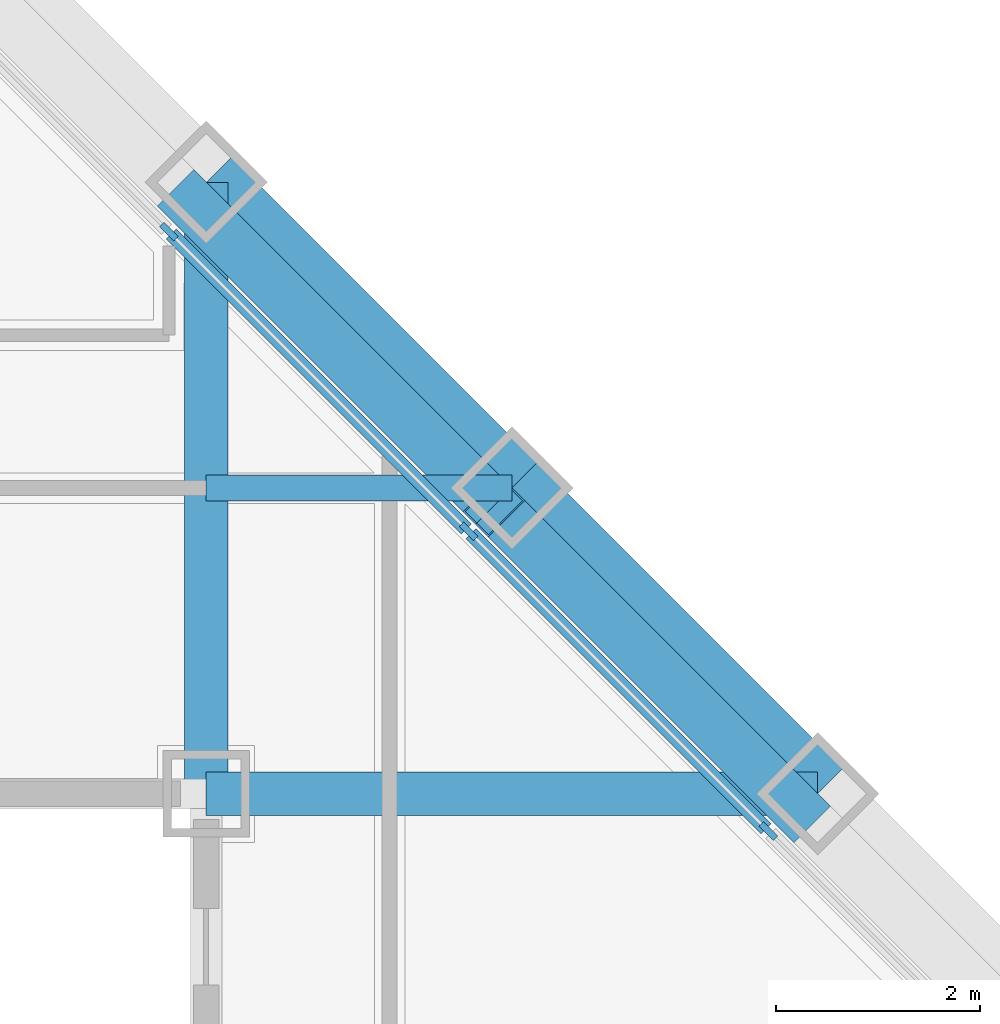
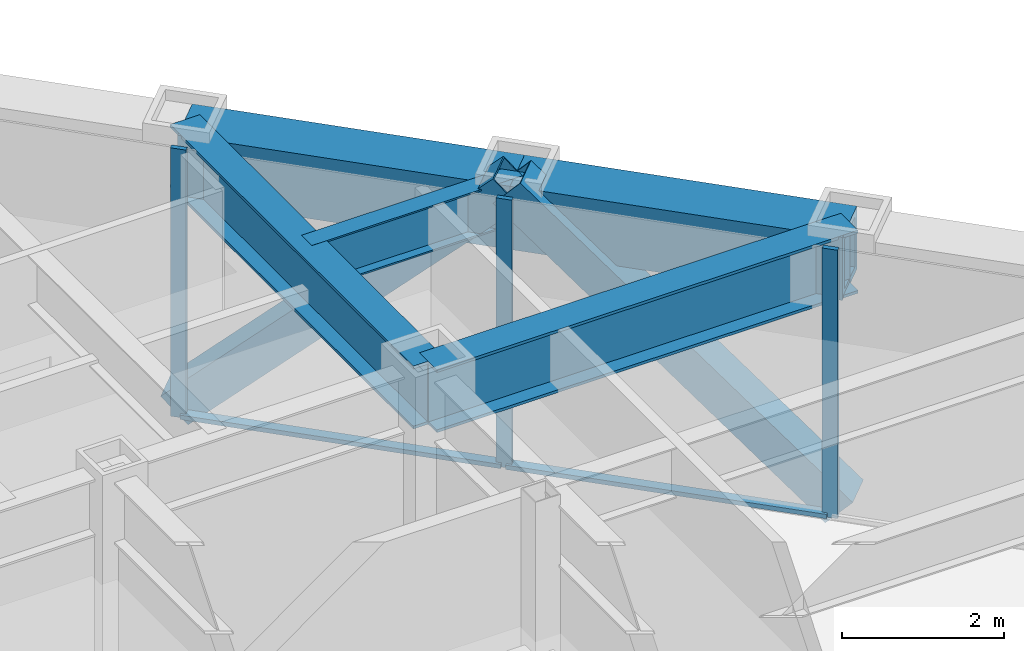
# One storey, part 8 of 17: 7 members, 5 beams, 1 element without a shape of its own.
"""IFC4 building model written with IfcOpenShell, lengths in metres."""

from ifc_helpers import new_model, si_unit, direction, frame, origin, origin_2d, place, context, subcontext, project, spatial, rectangle, hollow_rectangle, i_section, extrude, material, layer, layer_set, material_profile, profile_set, type_object, element, aggregate, save


model = new_model("IFC4")

# Units and contexts
model_context = context("Model", 3, precision=1e-05, world=origin(), true_north=direction((0.0, 1.0)))
body_context = subcontext(model_context, "Body", "Model", "MODEL_VIEW")
ifc_project = project(units=[si_unit("LENGTHUNIT", "METRE"), si_unit("AREAUNIT", "SQUARE_METRE"), si_unit("VOLUMEUNIT", "CUBIC_METRE"), si_unit("PLANEANGLEUNIT", "RADIAN"), si_unit("MASSUNIT", "GRAM", prefix="KILO")], contexts=[model_context])

# Site, building, storey
site_placement = place(None, origin())
site = spatial("IfcSite", under=ifc_project, at=site_placement, CompositionType="ELEMENT")
building_placement = place(site_placement, origin())
building = spatial("IfcBuilding", under=site, at=building_placement, Name="Chuquiago Exchange Tower", CompositionType="ELEMENT")
storey_placement = place(building_placement, frame((0.0, 0.0, 169.800048828125)))
storey = spatial("IfcBuildingStorey", under=building, at=storey_placement, Name="L37", CompositionType="ELEMENT", Elevation=169.800048828125)

# Beam
ifc_material_1 = material(Name="Steel ASTM A992", Category="steel")
ifc_material_profile_1 = material_profile(ifc_material_1, i_section(OverallWidth=0.256591796875, OverallDepth=0.693359375, WebThickness=0.014404296875, FlangeThickness=0.023681640625, at=origin_2d()), Name="W27X114")
ifc_profile_set_1 = profile_set([ifc_material_profile_1], Name="Steel ASTM A992")
beam_type_1 = type_object("IfcBeamType", Name="B9 W27X114", PredefinedType="BEAM", material=ifc_profile_set_1)
beam_placement = place(storey_placement, frame((33.0, 36.0, 3.693359375), z_axis=(1.0, 0.0, 0.0), x_axis=(0.0, 1.0, 0.0)))
element("IfcBeam", 1, at=beam_placement, inside=storey, type_object=beam_type_1, Name="FB-L38-corner-33_36-36_36-0", PredefinedType="BEAM", context=body_context, shape_type="SweptSolid", body=[
    extrude(i_section(OverallWidth=0.256591796875, OverallDepth=0.693359375, WebThickness=0.014404296875, FlangeThickness=0.023681640625, at=origin_2d()), origin(), (0.0, 0.0, 1.0), 3.0),
])

# Curtain wall, members
ifc_material_2 = material(Name="Aluminium curtain wall system", Category="aluminium")
ifc_layer = layer(ifc_material_2, 0.199951171875)
ifc_layer_set = layer_set([ifc_layer], Name="CW3 facet curtain wall")
curtain_wall_type = type_object("IfcCurtainWallType", Name="CW3 facet curtain wall", PredefinedType="NOTDEFINED", material=ifc_layer_set)
curtain_wall_placement = place(storey_placement, origin())
curtain_wall = element("IfcCurtainWall", 2, at=curtain_wall_placement, inside=storey, type_object=curtain_wall_type, Name="CW3 curtain wall L37", PredefinedType="NOTDEFINED")
ifc_material_3 = material(Name="Aluminium mullion, pale anodised", Category="aluminium")
ifc_material_profile_2 = material_profile(ifc_material_3, rectangle(XDim=0.06494140625, YDim=0.199951171875, at=origin_2d()), Name="AL 65x200")
ifc_profile_set_2 = profile_set([ifc_material_profile_2], Name="Aluminium mullion, pale anodised")
member_type_1 = type_object("IfcMemberType", Name="CW3-M mullion 65x200", PredefinedType="MULLION", material=ifc_profile_set_2)
member_1_placement = place(storey_placement, frame((38.51708984375, 32.63427734375, 0.0), z_axis=(0.0, 0.0, 1.0), x_axis=(-0.707106781187, -0.707106781187, 0.0)))
member_1 = element("IfcMember", 3, at=member_1_placement, type_object=member_type_1, Name="CW3 mullion 3", PredefinedType="MULLION", context=body_context, shape_type="SweptSolid", body=[
    extrude(rectangle(XDim=0.06494140625, YDim=0.199951171875, at=origin_2d()), origin(), (0.0, 0.0, 1.0), 4.0400390625),
])
member_2_placement = place(storey_placement, frame((35.57568359375, 35.57568359375, 0.0), z_axis=(0.0, 0.0, 1.0), x_axis=(-0.707106781187, -0.707106781187, 0.0)))
member_2 = element("IfcMember", 4, at=member_2_placement, type_object=member_type_1, Name="CW3 mullion 4", PredefinedType="MULLION", context=body_context, shape_type="SweptSolid", body=[
    extrude(rectangle(XDim=0.06494140625, YDim=0.199951171875, at=origin_2d()), origin(), (0.0, 0.0, 1.0), 4.0400390625),
])
member_3_placement = place(storey_placement, frame((32.63427734375, 38.51708984375, 0.0), z_axis=(0.0, 0.0, 1.0), x_axis=(-0.707106781187, -0.707106781187, 0.0)))
member_3 = element("IfcMember", 5, at=member_3_placement, type_object=member_type_1, Name="CW3 mullion 5", PredefinedType="MULLION", context=body_context, shape_type="SweptSolid", body=[
    extrude(rectangle(XDim=0.06494140625, YDim=0.199951171875, at=origin_2d()), origin(), (0.0, 0.0, 1.0), 4.0400390625),
])
ifc_material_4 = material(Name="Aluminium transom, pale anodised", Category="aluminium")
ifc_material_profile_3 = material_profile(ifc_material_4, rectangle(XDim=0.139892578125, YDim=0.06494140625, at=origin_2d()), Name="AL 140x65")
ifc_profile_set_3 = profile_set([ifc_material_profile_3], Name="Aluminium transom, pale anodised")
member_type_2 = type_object("IfcMemberType", Name="CW3-T transom 65x140", PredefinedType="MULLION", material=ifc_profile_set_3)
member_4_placement = place(storey_placement, frame((38.494140625, 32.6572265625, 0.032470703125), z_axis=(-0.707106781187, 0.707106781187, 0.0), x_axis=(-0.707106781187, -0.707106781187, 0.0)))
member_4 = element("IfcMember", 6, at=member_4_placement, type_object=member_type_2, Name="CW3 transom 3.1", PredefinedType="MULLION", context=body_context, shape_type="SweptSolid", body=[
    extrude(rectangle(XDim=0.139892578125, YDim=0.06494140625, at=origin_2d()), origin(), (0.0, 0.0, 1.0), 4.094970703125),
])
member_5_placement = place(storey_placement, frame((35.552734375, 35.5986328125, 0.032470703125), z_axis=(-0.707106781187, 0.707106781187, 0.0), x_axis=(-0.707106781187, -0.707106781187, 0.0)))
member_5 = element("IfcMember", 7, at=member_5_placement, type_object=member_type_2, Name="CW3 transom 4.1", PredefinedType="MULLION", context=body_context, shape_type="SweptSolid", body=[
    extrude(rectangle(XDim=0.139892578125, YDim=0.06494140625, at=origin_2d()), origin(), (0.0, 0.0, 1.0), 4.094970703125),
])
aggregate(curtain_wall, [member_1, member_2, member_3, member_4, member_5])

# Beams
ifc_material_5 = material(Name="Steel ASTM A992", Category="steel")
ifc_material_profile_4 = material_profile(ifc_material_5, i_section(OverallWidth=0.424072265625, OverallDepth=0.947509765625, WebThickness=0.02392578125, FlangeThickness=0.042724609375, at=origin_2d()), Name="W36X302")
ifc_profile_set_4 = profile_set([ifc_material_profile_4], Name="Steel ASTM A992")
beam_type_2 = type_object("IfcBeamType", Name="G4 W36X302", PredefinedType="BEAM", material=ifc_profile_set_4)
for number, where, z_axis, x_axis, name in (
    (8, (33.0, 33.0, 3.566162109375), (0.0, 1.0, 0.0), (-1.0, 0.0, 0.0), "FB-L38-girder-33_33-33_39-0"),
    (9, (33.0, 33.0, 3.566162109375), (1.0, 0.0, 0.0), (0.0, 1.0, 0.0), "FB-L38-girder-33_33-39_33-0"),
):
    element("IfcBeam", number, at=place(storey_placement, frame(where, z_axis=z_axis, x_axis=x_axis)), inside=storey, type_object=beam_type_2, Name=name, PredefinedType="BEAM", context=body_context, shape_type="SweptSolid", body=[
        extrude(i_section(OverallWidth=0.424072265625, OverallDepth=0.947509765625, WebThickness=0.02392578125, FlangeThickness=0.042724609375, at=origin_2d()), origin(), (0.0, 0.0, 1.0), 6.0),
    ])

# Members
ifc_material_6 = material(Name="Steel ASTM A500 Grade C", Category="steel")
ifc_material_profile_5 = material_profile(ifc_material_6, hollow_rectangle(XDim=0.508056640625, YDim=0.508056640625, WallThickness=0.017822265625, at=origin_2d()), Name="HSS20X20X3/4")
ifc_profile_set_5 = profile_set([ifc_material_profile_5], Name="Steel ASTM A500 Grade C")
member_type_3 = type_object("IfcMemberType", Name="LB1 HSS20X20X3/4", PredefinedType="BRACE", material=ifc_profile_set_5)
for number, where, z_axis, x_axis, name in (
    (10, (38.822509765625, 32.822509765625, 0.0), (-0.512077265487, 0.512077265487, 0.689604051861), (-0.707106781187, -0.707106781187, 0.0), "LB-L37-39_33-36_36"),
    (11, (32.822509765625, 38.822509765625, 0.0), (0.512077265487, -0.512077265487, 0.689604051861), (0.707106781187, 0.707106781187, 0.0), "LB-L37-36_36-33_39"),
):
    element("IfcMember", number, at=place(storey_placement, frame(where, z_axis=z_axis, x_axis=x_axis)), inside=storey, type_object=member_type_3, Name=name, PredefinedType="BRACE", context=body_context, shape_type="SweptSolid", body=[
        extrude(hollow_rectangle(XDim=0.508056640625, YDim=0.508056640625, WallThickness=0.017822265625, at=origin_2d()), origin(), (0.0, 0.0, 1.0), 5.8583984375),
    ])

# Beams
ifc_material_7 = material(Name="Steel ASTM A572 Grade 50", Category="steel")
ifc_material_profile_6 = material_profile(ifc_material_7, hollow_rectangle(XDim=0.699951171875, YDim=0.949951171875, WallThickness=0.10009765625, at=origin_2d()), Name="BOX950X700X100")
ifc_profile_set_6 = profile_set([ifc_material_profile_6], Name="Steel ASTM A572 Grade 50")
beam_type_3 = type_object("IfcBeamType", Name="SP5 BOX950X700X100", PredefinedType="SPANDREL", material=ifc_profile_set_6)
for number, where, z_axis, x_axis, name in (
    (12, (39.0, 33.0, 3.56494140625), (-0.707106781187, 0.707106781187, 0.0), (-0.707106781187, -0.707106781187, 0.0), "SPB-L38-39_33-36_36"),
    (13, (36.0, 36.0, 3.56494140625), (-0.707106781187, 0.707106781187, 0.0), (-0.707106781187, -0.707106781187, 0.0), "SPB-L38-36_36-33_39"),
):
    element("IfcBeam", number, at=place(storey_placement, frame(where, z_axis=z_axis, x_axis=x_axis)), inside=storey, type_object=beam_type_3, Name=name, PredefinedType="SPANDREL", context=body_context, shape_type="SweptSolid", body=[
        extrude(hollow_rectangle(XDim=0.699951171875, YDim=0.949951171875, WallThickness=0.10009765625, at=origin_2d()), origin(), (0.0, 0.0, 1.0), 4.24267578125),
    ])

save(model, "model.ifc")
